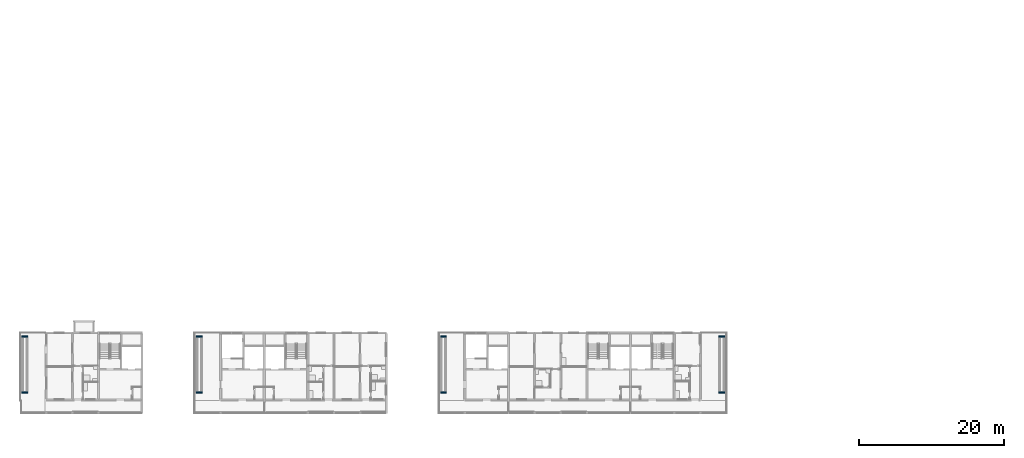
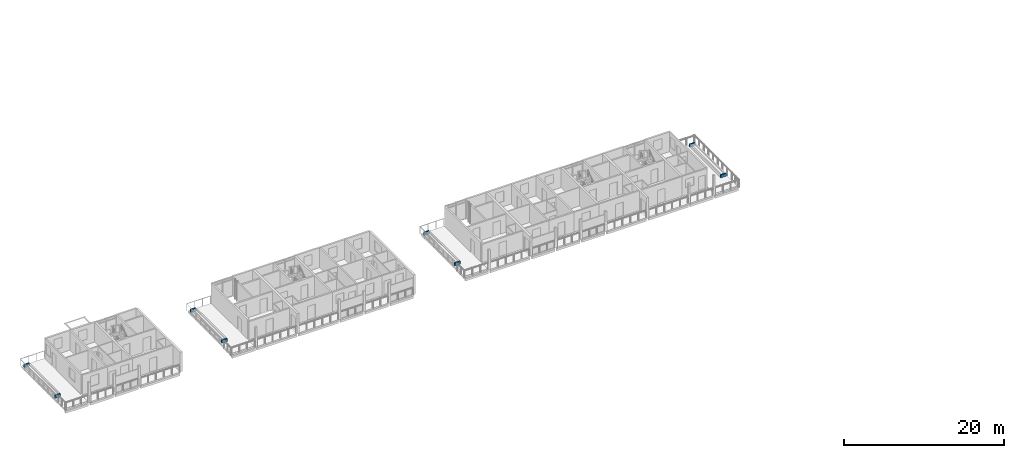
# One storey, part 38 of 55: 8 walls.
"""IFC4 building model written with IfcOpenShell, lengths in metres."""

from ifc_helpers import new_model, si_unit, direction, frame, frame_2d, origin, place, context, subcontext, project, spatial, rectangle, extrude, material, layer, layer_set, type_object, element, save


model = new_model("IFC4")

# Units and contexts
model_context = context("Model", 3, precision=1e-05, world=origin(), true_north=direction((0.0, 1.0)))
body_context = subcontext(model_context, "Body", "Model", "MODEL_VIEW")
ifc_project = project(units=[si_unit("LENGTHUNIT", "METRE"), si_unit("AREAUNIT", "SQUARE_METRE"), si_unit("VOLUMEUNIT", "CUBIC_METRE"), si_unit("PLANEANGLEUNIT", "RADIAN"), si_unit("MASSUNIT", "GRAM", prefix="KILO")], contexts=[model_context])

# Site, building, storey
site_placement = place(None, origin())
site = spatial("IfcSite", under=ifc_project, at=site_placement, CompositionType="ELEMENT")
building_placement = place(site_placement, origin())
building = spatial("IfcBuilding", under=site, at=building_placement, Name="Ridgestep Commons", CompositionType="ELEMENT")
storey_placement = place(building_placement, frame((0.0, 0.0, 36.0)))
storey = spatial("IfcBuildingStorey", under=building, at=storey_placement, Name="L12", CompositionType="ELEMENT", Elevation=36.0)

# Walls
ifc_material = material(Name="Facing brick", Category="masonry")
ifc_layer = layer(ifc_material, 0.199951171875)
ifc_layer_set = layer_set([ifc_layer], Name="Planter wall 200")
wall_type = type_object("IfcWallType", Name="Planter wall 200", PredefinedType="SOLIDWALL", material=ifc_layer_set)
for number, where, z_axis, x_axis, name in (
    (1, (12.25, 14.64990234375, 0.010009765625), (0.0, 0.0, 1.0), (1.0, 0.0, 0.0), "Planter wall A1R1S"),
    (2, (12.25, 22.35009765625, 0.010009765625), (0.0, 0.0, 1.0), (1.0, 0.0, 0.0), "Planter wall A1R1N"),
    (3, (36.25, 14.64990234375, 0.010009765625), (0.0, 0.0, 1.0), (1.0, 0.0, 0.0), "Planter wall A2R3S"),
    (4, (36.25, 22.35009765625, 0.010009765625), (0.0, 0.0, 1.0), (1.0, 0.0, 0.0), "Planter wall A2R3N"),
):
    element("IfcWall", number, at=place(storey_placement, frame(where, z_axis=z_axis, x_axis=x_axis)), inside=storey, type_object=wall_type, Name=name, PredefinedType="SOLIDWALL", context=body_context, shape_type="SweptSolid", body=[
        extrude(rectangle(XDim=0.800048828125, YDim=0.199951171875, at=frame_2d((0.39990234375, 0.0))), origin(), (0.0, 0.0, 1.0), 0.449951171875),
    ])
for number, where, z_axis, x_axis, name in (
    (5, (69.85009765625, 14.64990234375, 0.010009765625), (0.0, 0.0, 1.0), (1.0, 0.0, 0.0), "Planter wall A4R3S"),
    (6, (69.85009765625, 22.35009765625, 0.010009765625), (0.0, 0.0, 1.0), (1.0, 0.0, 0.0), "Planter wall A4R3N"),
):
    element("IfcWall", number, at=place(storey_placement, frame(where, z_axis=z_axis, x_axis=x_axis)), inside=storey, type_object=wall_type, Name=name, PredefinedType="SOLIDWALL", context=body_context, shape_type="SweptSolid", body=[
        extrude(rectangle(XDim=0.7998046875, YDim=0.199951171875, at=frame_2d((0.39990234375, 0.0))), origin(), (0.0, 0.0, 1.0), 0.449951171875),
    ])
for number, where, z_axis, x_axis, name in (
    (7, (108.14990234375, 14.64990234375, 0.010009765625), (0.0, 0.0, 1.0), (1.0, 0.0, 0.0), "Planter wall A6R2S"),
    (8, (108.14990234375, 22.35009765625, 0.010009765625), (0.0, 0.0, 1.0), (1.0, 0.0, 0.0), "Planter wall A6R2N"),
):
    element("IfcWall", number, at=place(storey_placement, frame(where, z_axis=z_axis, x_axis=x_axis)), inside=storey, type_object=wall_type, Name=name, PredefinedType="SOLIDWALL", context=body_context, shape_type="SweptSolid", body=[
        extrude(rectangle(XDim=0.800048828125, YDim=0.199951171875, at=frame_2d((0.39990234375, 0.0))), origin(), (0.0, 0.0, 1.0), 0.449951171875),
    ])

save(model, "model.ifc")
